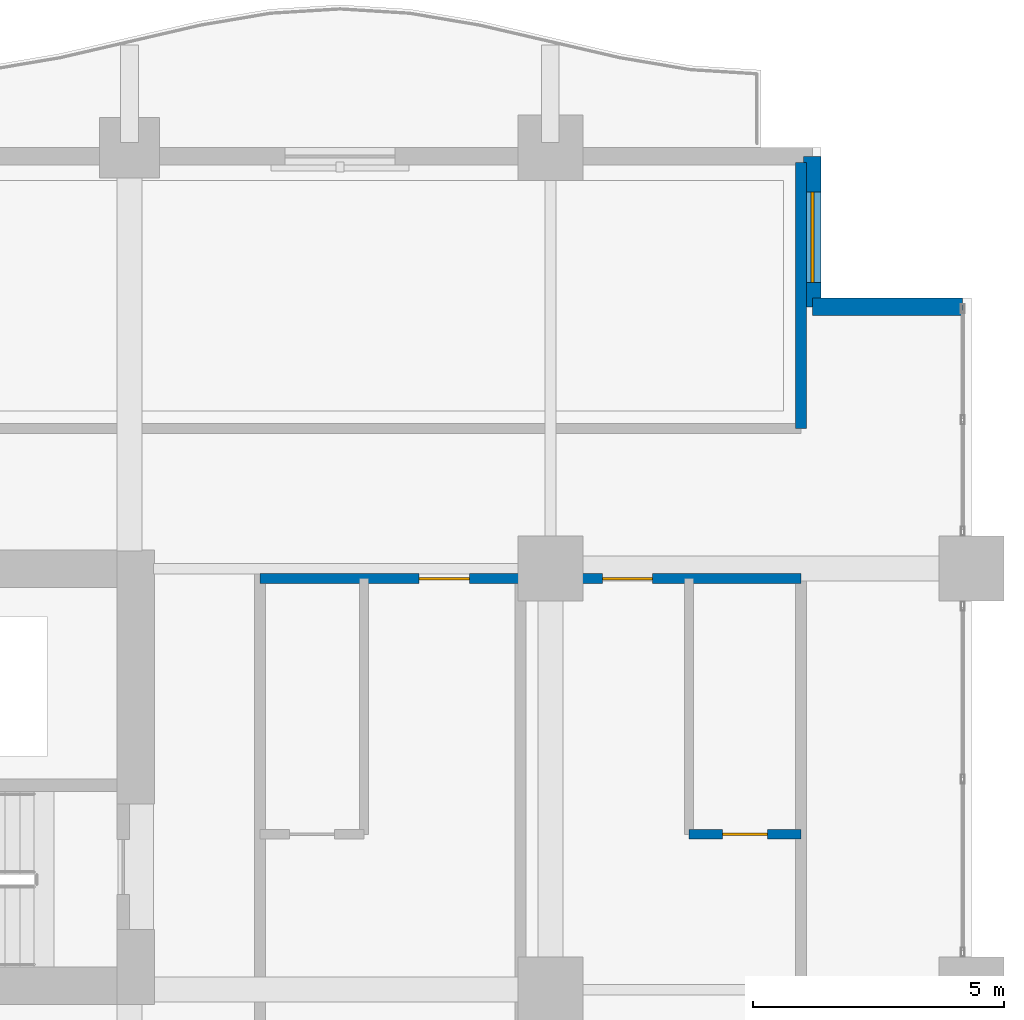
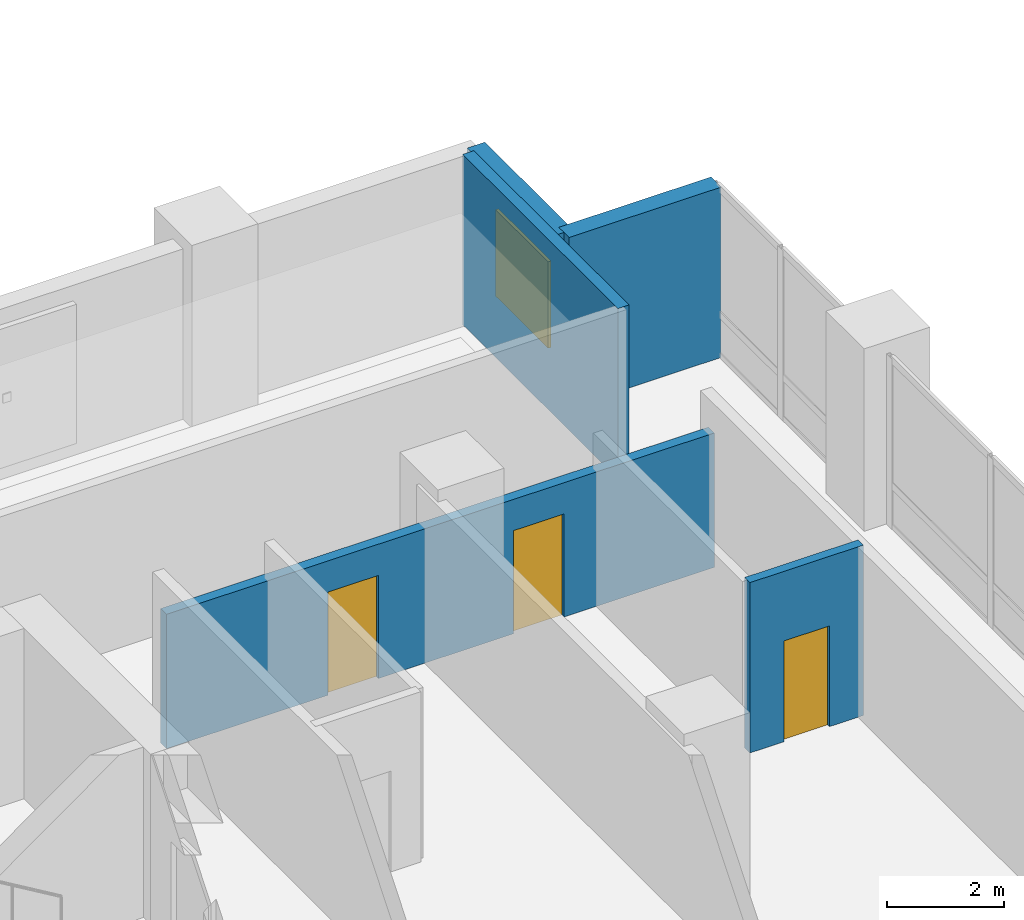
# One storey, part 15 of 23: 5 walls, 3 doors, 1 window, 4 openings.
"""IFC4 building model written with IfcOpenShell, lengths in metres."""

from ifc_helpers import new_model, si_unit, direction, frame, frame_2d, origin, place, context, subcontext, project, spatial, rectangle, extrude, material, layer, layer_set, type_object, element, fill, save


model = new_model("IFC4")

# Units and contexts
model_context = context("Model", 3, precision=1e-05, world=origin(), true_north=direction((0.0, 1.0)))
body_context = subcontext(model_context, "Body", "Model", "MODEL_VIEW")
ifc_project = project(units=[si_unit("LENGTHUNIT", "METRE"), si_unit("AREAUNIT", "SQUARE_METRE"), si_unit("VOLUMEUNIT", "CUBIC_METRE"), si_unit("PLANEANGLEUNIT", "RADIAN"), si_unit("MASSUNIT", "GRAM", prefix="KILO")], contexts=[model_context])

# Site, building, storey
site_placement = place(None, origin())
site = spatial("IfcSite", under=ifc_project, at=site_placement, CompositionType="ELEMENT")
building_placement = place(site_placement, origin())
building = spatial("IfcBuilding", under=site, at=building_placement, Name="Koriwani Terraces Tower", CompositionType="ELEMENT")
storey_placement = place(building_placement, frame((0.0, 0.0, 119.0)))
storey = spatial("IfcBuildingStorey", under=building, at=storey_placement, Name="L28", CompositionType="ELEMENT", Elevation=119.0)

# Wall, openings, doors
ifc_material_1 = material(Name="Autoclaved Cellular Concrete Blockwork", Category="masonry")
ifc_layer_1 = layer(ifc_material_1, 0.199951171875, Name="Autoclaved Cellular Concrete Blockwork")
ifc_layer_set_1 = layer_set([ifc_layer_1], Name="Autoclaved Cellular Concrete Blockwork")
wall_type_1 = type_object("IfcWallType", Name="WALL_CORRIDOR_200", PredefinedType="PARTITIONING", material=ifc_layer_set_1)
wall_1_placement = place(storey_placement, frame((61.39990234375, 25.0, 0.0), z_axis=(0.0, 0.0, 1.0), x_axis=(1.0, 0.0, 0.0)))
wall_1 = element("IfcWall", 1, at=wall_1_placement, inside=storey, type_object=wall_type_1, Name="L28 Interior Wall WCOR-L28-SE-0", PredefinedType="PARTITIONING", context=body_context, shape_type="SweptSolid", body=[
    extrude(rectangle(XDim=10.800048828125, YDim=0.199951171875, at=frame_2d((5.39990234375, 0.0))), origin(), (0.0, 0.0, 1.0), 2.800048828125),
])
opening_1_placement = place(wall_1_placement, frame((3.179931640625, 0.0, 0.0)))
opening_1 = element("IfcOpeningElement", 2, at=opening_1_placement, cuts=wall_1, Name="Opening D-05", PredefinedType="OPENING", context=body_context, shape_type="SweptSolid", body=[
    extrude(rectangle(XDim=1.0, YDim=2.14990234375, at=frame_2d((0.5, 1.074951171875))), frame((0.0, 0.10986328125, 0.0), z_axis=(0.0, -1.0, 0.0), x_axis=(1.0, 0.0, 0.0)), (0.0, 0.0, 1.0), 0.219970703125),
])
opening_2_placement = place(wall_1_placement, frame((6.840087890625, 0.0, 0.0)))
opening_2 = element("IfcOpeningElement", 3, at=opening_2_placement, cuts=wall_1, Name="Opening D-05", PredefinedType="OPENING", context=body_context, shape_type="SweptSolid", body=[
    extrude(rectangle(XDim=1.0, YDim=2.14990234375, at=frame_2d((0.5, 1.074951171875))), frame((0.0, 0.10986328125, 0.0), z_axis=(0.0, -1.0, 0.0), x_axis=(1.0, 0.0, 0.0)), (0.0, 0.0, 1.0), 0.219970703125),
])
ifc_material_2 = material(Name="Architectural Oak Fire Door", Category="wood")
door_type_1 = type_object("IfcDoorType", Name="DOOR_SUITE_ENTRY_1000X2150", OperationType="NOTDEFINED", PredefinedType="DOOR", material=ifc_material_2)
door_1_placement = place(opening_1_placement, origin())
door_1 = element("IfcDoor", 4, at=door_1_placement, inside=storey, type_object=door_type_1, Name="Luxury Hotel Suite 28SE1 Entrance Door", OperationType="SINGLE_SWING_LEFT", OverallHeight=2.14990234375, OverallWidth=1.0, PredefinedType="DOOR", context=body_context, shape_type="SweptSolid", body=[
    extrude(rectangle(XDim=1.0, YDim=2.14990234375, at=frame_2d((0.5, 1.074951171875))), frame((0.0, 0.02490234375, 0.0), z_axis=(0.0, -1.0, 0.0), x_axis=(1.0, 0.0, 0.0)), (0.0, 0.0, 1.0), 0.050048828125),
])
fill(opening_1, door_1)
door_2_placement = place(opening_2_placement, origin())
door_2 = element("IfcDoor", 5, at=door_2_placement, inside=storey, type_object=door_type_1, Name="Luxury Hotel Suite 28SE2 Entrance Door", OperationType="SINGLE_SWING_LEFT", OverallHeight=2.14990234375, OverallWidth=1.0, PredefinedType="DOOR", context=body_context, shape_type="SweptSolid", body=[
    extrude(rectangle(XDim=1.0, YDim=2.14990234375, at=frame_2d((0.5, 1.074951171875))), frame((0.0, 0.02490234375, 0.0), z_axis=(0.0, -1.0, 0.0), x_axis=(1.0, 0.0, 0.0)), (0.0, 0.0, 1.0), 0.050048828125),
])
fill(opening_2, door_2)

# Wall
ifc_layer_2 = layer(ifc_material_1, 0.219970703125, Name="Autoclaved Cellular Concrete Blockwork")
ifc_layer_set_2 = layer_set([ifc_layer_2], Name="Autoclaved Cellular Concrete Blockwork")
wall_type_2 = type_object("IfcWallType", Name="WALL_DEMISING_220", PredefinedType="PARTITIONING", material=ifc_layer_set_2)
wall_2_placement = place(storey_placement, frame((72.199951171875, 28.0, 0.0), z_axis=(0.0, 0.0, 1.0), x_axis=(0.0, 1.0, 0.0)))
element("IfcWall", 6, at=wall_2_placement, inside=storey, type_object=wall_type_2, Name="L28 Interior Wall WSEC-E-L28", PredefinedType="PARTITIONING", context=body_context, shape_type="SweptSolid", body=[
    extrude(rectangle(XDim=5.300048828125, YDim=0.219970703125, at=frame_2d((2.64990234375, 0.0))), origin(), (0.0, 0.0, 1.0), 3.550048828125),
])

# Wall, opening, window
ifc_material_3 = material(Name="Concrete C50/60", Category="concrete")
ifc_layer_3 = layer(ifc_material_3, 0.35009765625, Name="Concrete C50/60")
ifc_layer_set_3 = layer_set([ifc_layer_3], Name="Concrete C50/60")
wall_type_3 = type_object("IfcWallType", Name="WALL_EXT_BRUTALIST_350", PredefinedType="STANDARD", material=ifc_layer_set_3)
wall_3_placement = place(storey_placement, frame((72.425048828125, 33.425048828125, 0.0), z_axis=(0.0, 0.0, 1.0), x_axis=(0.0, -1.0, 0.0)))
wall_3 = element("IfcWall", 7, at=wall_3_placement, inside=storey, type_object=wall_type_3, Name="L28 Fair-Faced Brutalist Exterior Wall (N10)", PredefinedType="STANDARD", context=body_context, shape_type="SweptSolid", body=[
    extrude(rectangle(XDim=3.0, YDim=0.35009765625, at=frame_2d((1.5, 0.0))), origin(), (0.0, 0.0, 1.0), 3.550048828125),
])
opening_3_placement = place(wall_3_placement, frame((0.71240234375, 0.0, 0.85009765625)))
opening_3 = element("IfcOpeningElement", 8, at=opening_3_placement, cuts=wall_3, Name="Opening W-04", PredefinedType="OPENING", context=body_context, shape_type="SweptSolid", body=[
    extrude(rectangle(XDim=1.800048828125, YDim=1.800048828125, at=frame_2d((0.89990234375, 0.89990234375))), frame((0.0, 0.18505859375, 0.0), z_axis=(0.0, -1.0, 0.0), x_axis=(1.0, 0.0, 0.0)), (0.0, 0.0, 1.0), 0.3701171875),
])
ifc_material_4 = material(Name="Tempered Laminated Low-E Glass", Category="glass")
window_type = type_object("IfcWindowType", Name="WIN_RES_BED_1800X1800", PartitioningType="DOUBLE_PANEL_VERTICAL", PredefinedType="WINDOW", material=ifc_material_4)
window_placement = place(opening_3_placement, origin())
window = element("IfcWindow", 9, at=window_placement, inside=storey, type_object=window_type, Name="L28 Exterior Window (N10-R56)", OverallHeight=1.800048828125, OverallWidth=1.800048828125, PartitioningType="SINGLE_PANEL", PredefinedType="WINDOW", context=body_context, shape_type="SweptSolid", body=[
    extrude(rectangle(XDim=1.800048828125, YDim=1.800048828125, at=frame_2d((0.89990234375, 0.89990234375))), frame((0.0, 0.030029296875, 0.0), z_axis=(0.0, -1.0, 0.0), x_axis=(1.0, 0.0, 0.0)), (0.0, 0.0, 1.0), 0.06005859375),
])
fill(opening_3, window)

# Wall
wall_4_placement = place(storey_placement, frame((72.425048828125, 30.425048828125, 0.0), z_axis=(0.0, 0.0, 1.0), x_axis=(1.0, 0.0, 0.0)))
element("IfcWall", 10, at=wall_4_placement, inside=storey, type_object=wall_type_3, Name="L28 Fair-Faced Brutalist Exterior Wall (N11)", PredefinedType="STANDARD", context=body_context, shape_type="SweptSolid", body=[
    extrude(rectangle(XDim=3.0, YDim=0.35009765625, at=frame_2d((1.5, 0.0))), origin(), (0.0, 0.0, 1.0), 3.550048828125),
])

# Wall, opening, door
ifc_material_5 = material(Name="Fire-Rated Acoustic Gypsum Partition", Category="masonry")
ifc_layer_4 = layer(ifc_material_5, 0.179931640625, Name="Fire-Rated Acoustic Gypsum Partition")
ifc_layer_set_4 = layer_set([ifc_layer_4], Name="Fire-Rated Acoustic Gypsum Partition")
wall_type_4 = type_object("IfcWallType", Name="WALL_PLUMBING_180", PredefinedType="PLUMBINGWALL", material=ifc_layer_set_4)
wall_5_placement = place(storey_placement, frame((69.9599609375, 19.89990234375, 0.0), z_axis=(0.0, 0.0, 1.0), x_axis=(1.0, 0.0, 0.0)))
wall_5 = element("IfcWall", 11, at=wall_5_placement, inside=storey, type_object=wall_type_4, Name="L28 Interior Wall WBTH1-L28-SE-1", PredefinedType="PLUMBINGWALL", context=body_context, shape_type="SweptSolid", body=[
    extrude(rectangle(XDim=2.239990234375, YDim=0.179931640625, at=frame_2d((1.1201171875, 0.0))), origin(), (0.0, 0.0, 1.0), 3.550048828125),
])
opening_4_placement = place(wall_5_placement, frame((0.669921875, 0.0, 0.0)))
opening_4 = element("IfcOpeningElement", 12, at=opening_4_placement, cuts=wall_5, Name="Opening D-07", PredefinedType="OPENING", context=body_context, shape_type="SweptSolid", body=[
    extrude(rectangle(XDim=0.89990234375, YDim=2.10009765625, at=frame_2d((0.449951171875, 1.050048828125))), frame((0.0, 0.10009765625, 0.0), z_axis=(0.0, -1.0, 0.0), x_axis=(1.0, 0.0, 0.0)), (0.0, 0.0, 1.0), 0.199951171875),
])
door_type_2 = type_object("IfcDoorType", Name="DOOR_BATH_INT_900X2100", OperationType="NOTDEFINED", PredefinedType="DOOR", material=ifc_material_2)
door_3_placement = place(opening_4_placement, origin())
door_3 = element("IfcDoor", 13, at=door_3_placement, inside=storey, type_object=door_type_2, Name="En-Suite Bathroom 28SE2 Door", OperationType="SINGLE_SWING_RIGHT", OverallHeight=2.10009765625, OverallWidth=0.89990234375, PredefinedType="DOOR", context=body_context, shape_type="SweptSolid", body=[
    extrude(rectangle(XDim=0.89990234375, YDim=2.10009765625, at=frame_2d((0.449951171875, 1.050048828125))), frame((0.0, 0.02490234375, 0.0), z_axis=(0.0, -1.0, 0.0), x_axis=(1.0, 0.0, 0.0)), (0.0, 0.0, 1.0), 0.050048828125),
])
fill(opening_4, door_3)

save(model, "model.ifc")
